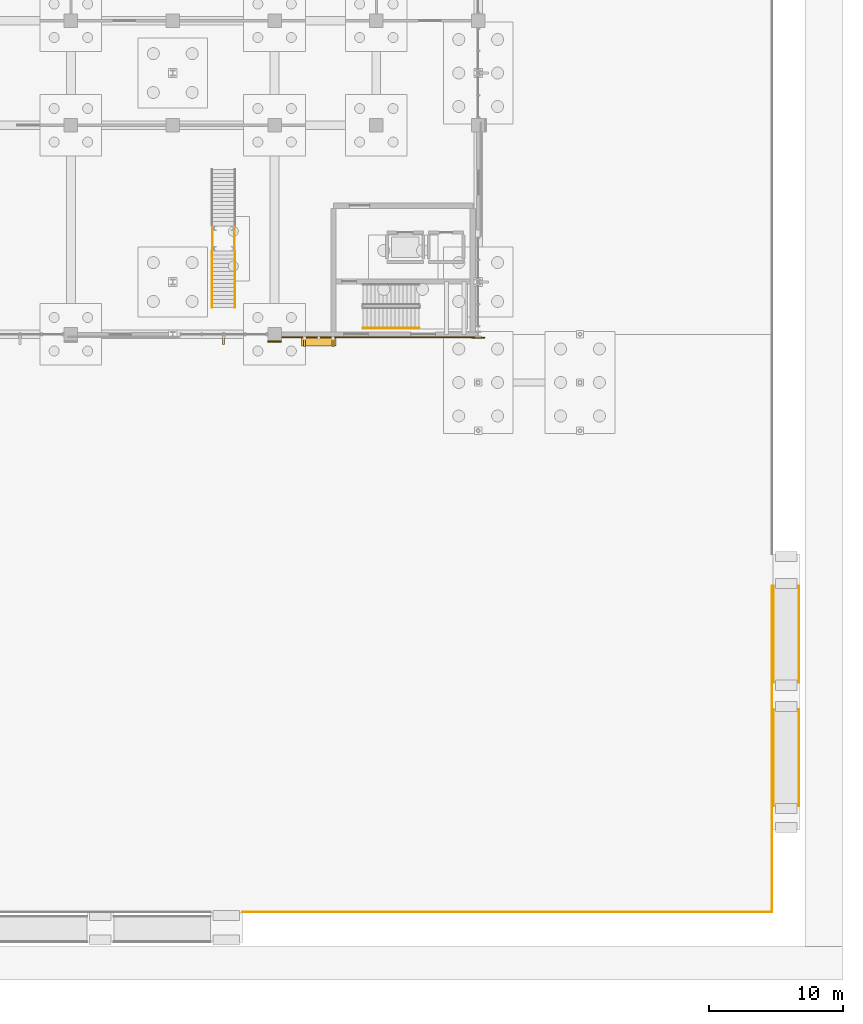
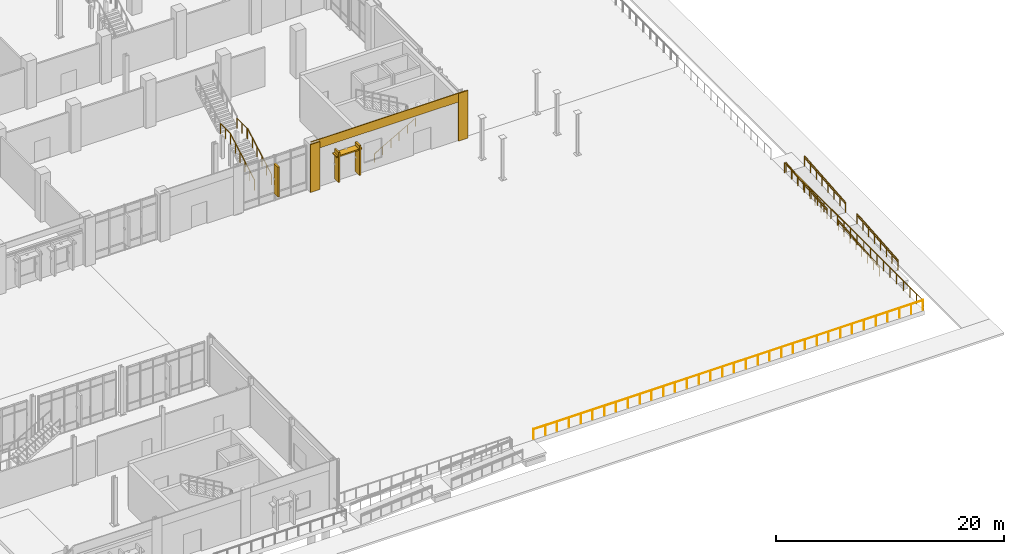
# One storey, part 91 of 94: 15 railings, 4 shading devices, 3 coverings.
"""IFC4 building model written with IfcOpenShell, lengths in metres."""

from ifc_helpers import new_model, si_unit, direction, frame, origin, origin_2d, place, context, subcontext, project, spatial, rectangle, circle, extrude, material, layer, layer_set, type_object, element, save


model = new_model("IFC4")

# Units and contexts
model_context = context("Model", 3, precision=1e-05, world=origin(), true_north=direction((0.0, 1.0)))
body_context = subcontext(model_context, "Body", "Model", "MODEL_VIEW")
ifc_project = project(units=[si_unit("LENGTHUNIT", "METRE"), si_unit("AREAUNIT", "SQUARE_METRE"), si_unit("VOLUMEUNIT", "CUBIC_METRE"), si_unit("PLANEANGLEUNIT", "RADIAN"), si_unit("MASSUNIT", "GRAM", prefix="KILO")], contexts=[model_context])

# Site, building, storey
site_placement = place(None, origin())
site = spatial("IfcSite", under=ifc_project, at=site_placement, CompositionType="ELEMENT")
building_placement = place(site_placement, origin())
building = spatial("IfcBuilding", under=site, at=building_placement, Name="Vervanel Yard Central Library", CompositionType="ELEMENT")
storey_placement = place(building_placement, origin())
storey = spatial("IfcBuildingStorey", under=building, at=storey_placement, Name="L00", CompositionType="ELEMENT", Elevation=0.0)

# Railings
ifc_material_1 = material(Name="Brushed stainless steel AISI 316", Category="steel")
railing_type_1 = type_object("IfcRailingType", Name="Brushed Stainless Stair Handrail 900", PredefinedType="HANDRAIL", material=ifc_material_1)
railing_1_placement = place(storey_placement, frame((137.39990234375, 43.64990234375, 0.169921875)))
element("IfcRailing", 1, at=railing_1_placement, inside=storey, type_object=railing_type_1, Name="L00 ST-05 stair handrail 1", PredefinedType="HANDRAIL", context=body_context, shape_type="SweptSolid", body=[
    extrude(circle(Radius=0.02392578125, at=origin_2d()), frame((0.0, 0.0, 0.8759765625), z_axis=(0.870020739749, 0.0, 0.493015123914), x_axis=(0.0, 1.0, 0.0)), (0.0, 0.0, 1.0), 4.82763671875),
    extrude(circle(Radius=0.02099609375, at=origin_2d()), origin(), (0.0, 0.0, 1.0), 0.851806640625),
    extrude(circle(Radius=0.02099609375, at=origin_2d()), frame((0.840087890625, 0.0, 0.47607421875)), (0.0, 0.0, 1.0), 0.851806640625),
    extrude(circle(Radius=0.02099609375, at=origin_2d()), frame((1.68017578125, 0.0, 0.9521484375)), (0.0, 0.0, 1.0), 0.851806640625),
    extrude(circle(Radius=0.02099609375, at=origin_2d()), frame((2.52001953125, 0.0, 1.427978515625)), (0.0, 0.0, 1.0), 0.851806640625),
    extrude(circle(Radius=0.02099609375, at=origin_2d()), frame((3.360107421875, 0.0, 1.904052734375)), (0.0, 0.0, 1.0), 0.851806640625),
    extrude(circle(Radius=0.02099609375, at=origin_2d()), frame((4.2001953125, 0.0, 2.380126953125)), (0.0, 0.0, 1.0), 0.851806640625),
])
for number, where, name in (
    (2, (168.050048828125, 8.0, -1.199951171875), "RAMP-02-F1 Handrail L"),
    (3, (169.949951171875, 8.0, -1.199951171875), "RAMP-02-F1 Handrail R"),
):
    element("IfcRailing", number, at=place(storey_placement, frame(where)), inside=storey, type_object=railing_type_1, Name=name, PredefinedType="HANDRAIL", context=body_context, shape_type="SweptSolid", body=[
        extrude(circle(Radius=0.02392578125, at=origin_2d()), frame((0.0, 0.0, 0.8759765625), z_axis=(0.0, 0.99654738937, 0.083025904028), x_axis=(-1.0, 0.0, 0.0)), (0.0, 0.0, 1.0), 7.224853515625),
        extrude(circle(Radius=0.02099609375, at=origin_2d()), origin(), (0.0, 0.0, 1.0), 0.851806640625),
        extrude(circle(Radius=0.02099609375, at=origin_2d()), frame((0.0, 1.028564453125, 0.085693359375)), (0.0, 0.0, 1.0), 0.851806640625),
        extrude(circle(Radius=0.02099609375, at=origin_2d()), frame((0.0, 2.05712890625, 0.17138671875)), (0.0, 0.0, 1.0), 0.851806640625),
        extrude(circle(Radius=0.02099609375, at=origin_2d()), frame((0.0, 3.085693359375, 0.257080078125)), (0.0, 0.0, 1.0), 0.851806640625),
        extrude(circle(Radius=0.02099609375, at=origin_2d()), frame((0.0, 4.1142578125, 0.3427734375)), (0.0, 0.0, 1.0), 0.851806640625),
        extrude(circle(Radius=0.02099609375, at=origin_2d()), frame((0.0, 5.142822265625, 0.428466796875)), (0.0, 0.0, 1.0), 0.851806640625),
        extrude(circle(Radius=0.02099609375, at=origin_2d()), frame((0.0, 6.17138671875, 0.51416015625)), (0.0, 0.0, 1.0), 0.851806640625),
        extrude(circle(Radius=0.02099609375, at=origin_2d()), frame((0.0, 7.199951171875, 0.599853515625)), (0.0, 0.0, 1.0), 0.851806640625),
    ])
for number, where, name in (
    (4, (168.050048828125, 17.199951171875, -0.60009765625), "RAMP-02-F2 Handrail L"),
    (5, (169.949951171875, 17.199951171875, -0.60009765625), "RAMP-02-F2 Handrail R"),
):
    element("IfcRailing", number, at=place(storey_placement, frame(where)), inside=storey, type_object=railing_type_1, Name=name, PredefinedType="HANDRAIL", context=body_context, shape_type="SweptSolid", body=[
        extrude(circle(Radius=0.02392578125, at=origin_2d()), frame((0.0, 0.0, 0.8759765625), z_axis=(0.0, 0.996544592923, 0.083059462528), x_axis=(-1.0, 0.0, 0.0)), (0.0, 0.0, 1.0), 7.224853515625),
        extrude(circle(Radius=0.02099609375, at=origin_2d()), origin(), (0.0, 0.0, 1.0), 0.851806640625),
        extrude(circle(Radius=0.02099609375, at=origin_2d()), frame((0.0, 1.028564453125, 0.085693359375)), (0.0, 0.0, 1.0), 0.851806640625),
        extrude(circle(Radius=0.02099609375, at=origin_2d()), frame((0.0, 2.05712890625, 0.17138671875)), (0.0, 0.0, 1.0), 0.851806640625),
        extrude(circle(Radius=0.02099609375, at=origin_2d()), frame((0.0, 3.085693359375, 0.257080078125)), (0.0, 0.0, 1.0), 0.851806640625),
        extrude(circle(Radius=0.02099609375, at=origin_2d()), frame((0.0, 4.1142578125, 0.343017578125)), (0.0, 0.0, 1.0), 0.851806640625),
        extrude(circle(Radius=0.02099609375, at=origin_2d()), frame((0.0, 5.142822265625, 0.4287109375)), (0.0, 0.0, 1.0), 0.851806640625),
        extrude(circle(Radius=0.02099609375, at=origin_2d()), frame((0.0, 6.17138671875, 0.514404296875)), (0.0, 0.0, 1.0), 0.851806640625),
        extrude(circle(Radius=0.02099609375, at=origin_2d()), frame((0.0, 7.199951171875, 0.60009765625)), (0.0, 0.0, 1.0), 0.851806640625),
    ])

# Coverings
ifc_material_2 = material(Name="Precast concrete C45/55", Category="concrete")
ifc_layer = layer(ifc_material_2, 0.0849609375, Category="concrete")
ifc_layer_set = layer_set([ifc_layer], Name="Precast concrete C45/55")
covering_type = type_object("IfcCoveringType", Name="Bush-Hammered Precast Architectural Cladding Panel", PredefinedType="CLADDING", material=ifc_layer_set)
covering_placement = place(storey_placement, frame((138.39990234375, 42.989990234375, 4.179931640625), z_axis=(0.0, 0.0, 1.0), x_axis=(1.0, 0.0, 0.0)))
element("IfcCovering", 6, at=covering_placement, inside=storey, type_object=covering_type, Name="L00 Precast Concrete Spandrel Cornice EWALL-L00-0162", PredefinedType="CLADDING", context=body_context, shape_type="SweptSolid", body=[
    extrude(rectangle(XDim=15.64990234375, YDim=0.0849609375, at=origin_2d()), origin(), (0.0, 0.0, 1.0), 0.93994140625),
])
for number, where, z_axis, x_axis, name in (
    (7, (130.800048828125, 42.657470703125, 0.0), (0.0, 0.0, 1.0), (1.0, 0.0, 0.0), "L00 Precast Concrete Pier Pilaster EWALL-L00-0162-A"),
    (8, (146.0, 42.94921875, 0.0), (0.0, 0.0, 1.0), (1.0, 0.0, 0.0), "L00 Precast Concrete Pier Pilaster EWALL-L00-0162-B"),
):
    element("IfcCovering", number, at=place(storey_placement, frame(where, z_axis=z_axis, x_axis=x_axis)), inside=storey, type_object=covering_type, Name=name, PredefinedType="CLADDING", context=body_context, shape_type="SweptSolid", body=[
        extrude(rectangle(XDim=0.97998046875, YDim=0.0849609375, at=origin_2d()), origin(), (0.0, 0.0, 1.0), 5.1201171875),
    ])

# Railings
railing_type_2 = type_object("IfcRailingType", Name="Exterior Terrace Guardrail 1100", PredefinedType="GUARDRAIL", material=ifc_material_1)
for number, where, name in (
    (9, (168.050048828125, 8.0, -1.199951171875), "RAMP-02-F1 Guardrail L"),
    (10, (169.949951171875, 8.0, -1.199951171875), "RAMP-02-F1 Guardrail R"),
):
    element("IfcRailing", number, at=place(storey_placement, frame(where)), inside=storey, type_object=railing_type_2, Name=name, PredefinedType="GUARDRAIL", context=body_context, shape_type="SweptSolid", body=[
        extrude(circle(Radius=0.02392578125, at=origin_2d()), frame((0.0, 0.0, 1.076171875), z_axis=(0.0, 0.99654738937, 0.083025904028), x_axis=(-1.0, 0.0, 0.0)), (0.0, 0.0, 1.0), 7.224853515625),
        extrude(circle(Radius=0.02099609375, at=origin_2d()), origin(), (0.0, 0.0, 1.0), 1.052001953125),
        extrude(circle(Radius=0.02099609375, at=origin_2d()), frame((0.0, 1.028564453125, 0.085693359375)), (0.0, 0.0, 1.0), 1.052001953125),
        extrude(circle(Radius=0.02099609375, at=origin_2d()), frame((0.0, 2.05712890625, 0.17138671875)), (0.0, 0.0, 1.0), 1.052001953125),
        extrude(circle(Radius=0.02099609375, at=origin_2d()), frame((0.0, 3.085693359375, 0.257080078125)), (0.0, 0.0, 1.0), 1.052001953125),
        extrude(circle(Radius=0.02099609375, at=origin_2d()), frame((0.0, 4.1142578125, 0.3427734375)), (0.0, 0.0, 1.0), 1.052001953125),
        extrude(circle(Radius=0.02099609375, at=origin_2d()), frame((0.0, 5.142822265625, 0.428466796875)), (0.0, 0.0, 1.0), 1.052001953125),
        extrude(circle(Radius=0.02099609375, at=origin_2d()), frame((0.0, 6.17138671875, 0.51416015625)), (0.0, 0.0, 1.0), 1.052001953125),
        extrude(circle(Radius=0.02099609375, at=origin_2d()), frame((0.0, 7.199951171875, 0.599853515625)), (0.0, 0.0, 1.0), 1.052001953125),
    ])
for number, where, name in (
    (11, (168.050048828125, 17.199951171875, -0.60009765625), "RAMP-02-F2 Guardrail L"),
    (12, (169.949951171875, 17.199951171875, -0.60009765625), "RAMP-02-F2 Guardrail R"),
):
    element("IfcRailing", number, at=place(storey_placement, frame(where)), inside=storey, type_object=railing_type_2, Name=name, PredefinedType="GUARDRAIL", context=body_context, shape_type="SweptSolid", body=[
        extrude(circle(Radius=0.02392578125, at=origin_2d()), frame((0.0, 0.0, 1.076171875), z_axis=(0.0, 0.996544592923, 0.083059462528), x_axis=(-1.0, 0.0, 0.0)), (0.0, 0.0, 1.0), 7.224853515625),
        extrude(circle(Radius=0.02099609375, at=origin_2d()), origin(), (0.0, 0.0, 1.0), 1.052001953125),
        extrude(circle(Radius=0.02099609375, at=origin_2d()), frame((0.0, 1.028564453125, 0.085693359375)), (0.0, 0.0, 1.0), 1.052001953125),
        extrude(circle(Radius=0.02099609375, at=origin_2d()), frame((0.0, 2.05712890625, 0.17138671875)), (0.0, 0.0, 1.0), 1.052001953125),
        extrude(circle(Radius=0.02099609375, at=origin_2d()), frame((0.0, 3.085693359375, 0.257080078125)), (0.0, 0.0, 1.0), 1.052001953125),
        extrude(circle(Radius=0.02099609375, at=origin_2d()), frame((0.0, 4.1142578125, 0.343017578125)), (0.0, 0.0, 1.0), 1.052001953125),
        extrude(circle(Radius=0.02099609375, at=origin_2d()), frame((0.0, 5.142822265625, 0.4287109375)), (0.0, 0.0, 1.0), 1.052001953125),
        extrude(circle(Radius=0.02099609375, at=origin_2d()), frame((0.0, 6.17138671875, 0.514404296875)), (0.0, 0.0, 1.0), 1.052001953125),
        extrude(circle(Radius=0.02099609375, at=origin_2d()), frame((0.0, 7.199951171875, 0.60009765625)), (0.0, 0.0, 1.0), 1.052001953125),
    ])
railing_2_placement = place(storey_placement, frame((128.39990234375, 0.080078125, 0.0)))
element("IfcRailing", 13, at=railing_2_placement, inside=storey, type_object=railing_type_2, Name="L00 Southeast Forecourt Arrival Plaza Edge Guard 4", PredefinedType="GUARDRAIL", context=body_context, shape_type="SweptSolid", body=[
    extrude(circle(Radius=0.02392578125, at=origin_2d()), frame((0.0, 0.0, 1.076171875), z_axis=(1.0, 0.0, 0.0), x_axis=(0.0, 1.0, 0.0)), (0.0, 0.0, 1.0), 39.52001953125),
    extrude(circle(Radius=0.02099609375, at=origin_2d()), origin(), (0.0, 0.0, 1.0), 1.052001953125),
    extrude(circle(Radius=0.02099609375, at=origin_2d()), frame((1.197509765625, 0.0, 0.0)), (0.0, 0.0, 1.0), 1.052001953125),
    extrude(circle(Radius=0.02099609375, at=origin_2d()), frame((2.395263671875, 0.0, 0.0)), (0.0, 0.0, 1.0), 1.052001953125),
    extrude(circle(Radius=0.02099609375, at=origin_2d()), frame((3.5927734375, 0.0, 0.0)), (0.0, 0.0, 1.0), 1.052001953125),
    extrude(circle(Radius=0.02099609375, at=origin_2d()), frame((4.790283203125, 0.0, 0.0)), (0.0, 0.0, 1.0), 1.052001953125),
    extrude(circle(Radius=0.02099609375, at=origin_2d()), frame((5.98779296875, 0.0, 0.0)), (0.0, 0.0, 1.0), 1.052001953125),
    extrude(circle(Radius=0.02099609375, at=origin_2d()), frame((7.185546875, 0.0, 0.0)), (0.0, 0.0, 1.0), 1.052001953125),
    extrude(circle(Radius=0.02099609375, at=origin_2d()), frame((8.383056640625, 0.0, 0.0)), (0.0, 0.0, 1.0), 1.052001953125),
    extrude(circle(Radius=0.02099609375, at=origin_2d()), frame((9.58056640625, 0.0, 0.0)), (0.0, 0.0, 1.0), 1.052001953125),
    extrude(circle(Radius=0.02099609375, at=origin_2d()), frame((10.778076171875, 0.0, 0.0)), (0.0, 0.0, 1.0), 1.052001953125),
    extrude(circle(Radius=0.02099609375, at=origin_2d()), frame((11.975830078125, 0.0, 0.0)), (0.0, 0.0, 1.0), 1.052001953125),
    extrude(circle(Radius=0.02099609375, at=origin_2d()), frame((13.17333984375, 0.0, 0.0)), (0.0, 0.0, 1.0), 1.052001953125),
    extrude(circle(Radius=0.02099609375, at=origin_2d()), frame((14.370849609375, 0.0, 0.0)), (0.0, 0.0, 1.0), 1.052001953125),
    extrude(circle(Radius=0.02099609375, at=origin_2d()), frame((15.568603515625, 0.0, 0.0)), (0.0, 0.0, 1.0), 1.052001953125),
    extrude(circle(Radius=0.02099609375, at=origin_2d()), frame((16.76611328125, 0.0, 0.0)), (0.0, 0.0, 1.0), 1.052001953125),
    extrude(circle(Radius=0.02099609375, at=origin_2d()), frame((17.963623046875, 0.0, 0.0)), (0.0, 0.0, 1.0), 1.052001953125),
    extrude(circle(Radius=0.02099609375, at=origin_2d()), frame((19.1611328125, 0.0, 0.0)), (0.0, 0.0, 1.0), 1.052001953125),
    extrude(circle(Radius=0.02099609375, at=origin_2d()), frame((20.35888671875, 0.0, 0.0)), (0.0, 0.0, 1.0), 1.052001953125),
    extrude(circle(Radius=0.02099609375, at=origin_2d()), frame((21.556396484375, 0.0, 0.0)), (0.0, 0.0, 1.0), 1.052001953125),
    extrude(circle(Radius=0.02099609375, at=origin_2d()), frame((22.75390625, 0.0, 0.0)), (0.0, 0.0, 1.0), 1.052001953125),
    extrude(circle(Radius=0.02099609375, at=origin_2d()), frame((23.951416015625, 0.0, 0.0)), (0.0, 0.0, 1.0), 1.052001953125),
    extrude(circle(Radius=0.02099609375, at=origin_2d()), frame((25.149169921875, 0.0, 0.0)), (0.0, 0.0, 1.0), 1.052001953125),
    extrude(circle(Radius=0.02099609375, at=origin_2d()), frame((26.3466796875, 0.0, 0.0)), (0.0, 0.0, 1.0), 1.052001953125),
    extrude(circle(Radius=0.02099609375, at=origin_2d()), frame((27.544189453125, 0.0, 0.0)), (0.0, 0.0, 1.0), 1.052001953125),
    extrude(circle(Radius=0.02099609375, at=origin_2d()), frame((28.741943359375, 0.0, 0.0)), (0.0, 0.0, 1.0), 1.052001953125),
    extrude(circle(Radius=0.02099609375, at=origin_2d()), frame((29.939453125, 0.0, 0.0)), (0.0, 0.0, 1.0), 1.052001953125),
    extrude(circle(Radius=0.02099609375, at=origin_2d()), frame((31.136962890625, 0.0, 0.0)), (0.0, 0.0, 1.0), 1.052001953125),
    extrude(circle(Radius=0.02099609375, at=origin_2d()), frame((32.33447265625, 0.0, 0.0)), (0.0, 0.0, 1.0), 1.052001953125),
    extrude(circle(Radius=0.02099609375, at=origin_2d()), frame((33.5322265625, 0.0, 0.0)), (0.0, 0.0, 1.0), 1.052001953125),
    extrude(circle(Radius=0.02099609375, at=origin_2d()), frame((34.729736328125, 0.0, 0.0)), (0.0, 0.0, 1.0), 1.052001953125),
    extrude(circle(Radius=0.02099609375, at=origin_2d()), frame((35.92724609375, 0.0, 0.0)), (0.0, 0.0, 1.0), 1.052001953125),
    extrude(circle(Radius=0.02099609375, at=origin_2d()), frame((37.124755859375, 0.0, 0.0)), (0.0, 0.0, 1.0), 1.052001953125),
    extrude(circle(Radius=0.02099609375, at=origin_2d()), frame((38.322509765625, 0.0, 0.0)), (0.0, 0.0, 1.0), 1.052001953125),
    extrude(circle(Radius=0.02099609375, at=origin_2d()), frame((39.52001953125, 0.0, 0.0)), (0.0, 0.0, 1.0), 1.052001953125),
])
railing_3_placement = place(storey_placement, frame((167.919921875, 0.080078125, 0.0)))
element("IfcRailing", 14, at=railing_3_placement, inside=storey, type_object=railing_type_2, Name="L00 Southeast Forecourt Arrival Plaza Edge Guard 5", PredefinedType="GUARDRAIL", context=body_context, shape_type="SweptSolid", body=[
    extrude(circle(Radius=0.02392578125, at=origin_2d()), frame((0.0, 0.0, 1.076171875), z_axis=(0.0, 1.0, 0.0), x_axis=(-1.0, 0.0, 0.0)), (0.0, 0.0, 1.0), 24.31982421875),
    extrude(circle(Radius=0.02099609375, at=origin_2d()), origin(), (0.0, 0.0, 1.0), 1.052001953125),
    extrude(circle(Radius=0.02099609375, at=origin_2d()), frame((0.0, 1.158203125, 0.0)), (0.0, 0.0, 1.0), 1.052001953125),
    extrude(circle(Radius=0.02099609375, at=origin_2d()), frame((0.0, 2.316162109375, 0.0)), (0.0, 0.0, 1.0), 1.052001953125),
    extrude(circle(Radius=0.02099609375, at=origin_2d()), frame((0.0, 3.474365234375, 0.0)), (0.0, 0.0, 1.0), 1.052001953125),
    extrude(circle(Radius=0.02099609375, at=origin_2d()), frame((0.0, 4.63232421875, 0.0)), (0.0, 0.0, 1.0), 1.052001953125),
    extrude(circle(Radius=0.02099609375, at=origin_2d()), frame((0.0, 5.79052734375, 0.0)), (0.0, 0.0, 1.0), 1.052001953125),
    extrude(circle(Radius=0.02099609375, at=origin_2d()), frame((0.0, 6.948486328125, 0.0)), (0.0, 0.0, 1.0), 1.052001953125),
    extrude(circle(Radius=0.02099609375, at=origin_2d()), frame((0.0, 8.106689453125, 0.0)), (0.0, 0.0, 1.0), 1.052001953125),
    extrude(circle(Radius=0.02099609375, at=origin_2d()), frame((0.0, 9.2646484375, 0.0)), (0.0, 0.0, 1.0), 1.052001953125),
    extrude(circle(Radius=0.02099609375, at=origin_2d()), frame((0.0, 10.4228515625, 0.0)), (0.0, 0.0, 1.0), 1.052001953125),
    extrude(circle(Radius=0.02099609375, at=origin_2d()), frame((0.0, 11.580810546875, 0.0)), (0.0, 0.0, 1.0), 1.052001953125),
    extrude(circle(Radius=0.02099609375, at=origin_2d()), frame((0.0, 12.739013671875, 0.0)), (0.0, 0.0, 1.0), 1.052001953125),
    extrude(circle(Radius=0.02099609375, at=origin_2d()), frame((0.0, 13.89697265625, 0.0)), (0.0, 0.0, 1.0), 1.052001953125),
    extrude(circle(Radius=0.02099609375, at=origin_2d()), frame((0.0, 15.05517578125, 0.0)), (0.0, 0.0, 1.0), 1.052001953125),
    extrude(circle(Radius=0.02099609375, at=origin_2d()), frame((0.0, 16.213134765625, 0.0)), (0.0, 0.0, 1.0), 1.052001953125),
    extrude(circle(Radius=0.02099609375, at=origin_2d()), frame((0.0, 17.371337890625, 0.0)), (0.0, 0.0, 1.0), 1.052001953125),
    extrude(circle(Radius=0.02099609375, at=origin_2d()), frame((0.0, 18.529296875, 0.0)), (0.0, 0.0, 1.0), 1.052001953125),
    extrude(circle(Radius=0.02099609375, at=origin_2d()), frame((0.0, 19.6875, 0.0)), (0.0, 0.0, 1.0), 1.052001953125),
    extrude(circle(Radius=0.02099609375, at=origin_2d()), frame((0.0, 20.845458984375, 0.0)), (0.0, 0.0, 1.0), 1.052001953125),
    extrude(circle(Radius=0.02099609375, at=origin_2d()), frame((0.0, 22.003662109375, 0.0)), (0.0, 0.0, 1.0), 1.052001953125),
    extrude(circle(Radius=0.02099609375, at=origin_2d()), frame((0.0, 23.16162109375, 0.0)), (0.0, 0.0, 1.0), 1.052001953125),
    extrude(circle(Radius=0.02099609375, at=origin_2d()), frame((0.0, 24.31982421875, 0.0)), (0.0, 0.0, 1.0), 1.052001953125),
])

# Shading device
shading_device_type_1 = type_object("IfcShadingDeviceType", Name="Horizontal Precast Brise-Soleil Sunhood 2600x680x140", PredefinedType="JALOUSIE", material=ifc_material_2)
shading_device_placement = place(storey_placement, frame((134.10009765625, 42.659912109375, 3.0302734375), z_axis=(0.0, 0.0, 1.0), x_axis=(1.0, 0.0, 0.0)))
element("IfcShadingDevice", 15, at=shading_device_placement, inside=storey, type_object=shading_device_type_1, Name="L00 Precast Horizontal Sunhood 99", PredefinedType="JALOUSIE", context=body_context, shape_type="SweptSolid", body=[
    extrude(rectangle(XDim=2.60009765625, YDim=0.679931640625, at=origin_2d()), origin(), (0.0, 0.0, 1.0), 0.139892578125),
])

# Railings
ifc_material_3 = material(Name="Galvanized painted steelwork ASTM A500 Grade C", Category="steel")
railing_type_3 = type_object("IfcRailingType", Name="Painted Steel Guardrail 1100", PredefinedType="GUARDRAIL", material=ifc_material_3)
for number, where, name in (
    (16, (126.139892578125, 45.199951171875, 0.169921875), "L00 Feature Stair Guard FST-01-L00 F1 L"),
    (17, (127.860107421875, 45.199951171875, 0.169921875), "L00 Feature Stair Guard FST-01-L00 F1 R"),
):
    element("IfcRailing", number, at=place(storey_placement, frame(where)), inside=storey, type_object=railing_type_3, Name=name, PredefinedType="GUARDRAIL", context=body_context, shape_type="SweptSolid", body=[
        extrude(circle(Radius=0.02392578125, at=origin_2d()), frame((0.0, 0.0, 1.076171875), z_axis=(0.0, 0.870008446991, 0.493036816236), x_axis=(-1.0, 0.0, 0.0)), (0.0, 0.0, 1.0), 4.827392578125),
        extrude(circle(Radius=0.02099609375, at=origin_2d()), origin(), (0.0, 0.0, 1.0), 1.052001953125),
        extrude(circle(Radius=0.02099609375, at=origin_2d()), frame((0.0, 0.840087890625, 0.47607421875)), (0.0, 0.0, 1.0), 1.052001953125),
        extrude(circle(Radius=0.02099609375, at=origin_2d()), frame((0.0, 1.679931640625, 0.9521484375)), (0.0, 0.0, 1.0), 1.052001953125),
        extrude(circle(Radius=0.02099609375, at=origin_2d()), frame((0.0, 2.52001953125, 1.427978515625)), (0.0, 0.0, 1.0), 1.052001953125),
        extrude(circle(Radius=0.02099609375, at=origin_2d()), frame((0.0, 3.35986328125, 1.904052734375)), (0.0, 0.0, 1.0), 1.052001953125),
        extrude(circle(Radius=0.02099609375, at=origin_2d()), frame((0.0, 4.199951171875, 2.380126953125)), (0.0, 0.0, 1.0), 1.052001953125),
    ])
railing_4_placement = place(storey_placement, frame((127.820068359375, 49.47998046875, 2.550048828125)))
element("IfcRailing", 18, at=railing_4_placement, inside=storey, type_object=railing_type_3, Name="L00 Void Guard FST-01-L00-LDG1 E", PredefinedType="GUARDRAIL", context=body_context, shape_type="SweptSolid", body=[
    extrude(circle(Radius=0.02392578125, at=origin_2d()), frame((0.0, 0.0, 1.076171875), z_axis=(0.0, 1.0, 0.0), x_axis=(-1.0, 0.0, 0.0)), (0.0, 0.0, 1.0), 1.739990234375),
    extrude(circle(Radius=0.02099609375, at=origin_2d()), origin(), (0.0, 0.0, 1.0), 1.052001953125),
    extrude(circle(Radius=0.02099609375, at=origin_2d()), frame((0.0, 0.8701171875, 0.0)), (0.0, 0.0, 1.0), 1.052001953125),
    extrude(circle(Radius=0.02099609375, at=origin_2d()), frame((0.0, 1.739990234375, 0.0)), (0.0, 0.0, 1.0), 1.052001953125),
])
railing_5_placement = place(storey_placement, frame((126.179931640625, 51.219970703125, 2.550048828125)))
element("IfcRailing", 19, at=railing_5_placement, inside=storey, type_object=railing_type_3, Name="L00 Void Guard FST-01-L00-LDG1 W", PredefinedType="GUARDRAIL", context=body_context, shape_type="SweptSolid", body=[
    extrude(circle(Radius=0.02392578125, at=origin_2d()), frame((0.0, 0.0, 1.076171875), z_axis=(0.0, -1.0, 0.0), x_axis=(1.0, 0.0, 0.0)), (0.0, 0.0, 1.0), 1.739990234375),
    extrude(circle(Radius=0.02099609375, at=origin_2d()), origin(), (0.0, 0.0, 1.0), 1.052001953125),
    extrude(circle(Radius=0.02099609375, at=origin_2d()), frame((0.0, -0.8701171875, 0.0)), (0.0, 0.0, 1.0), 1.052001953125),
    extrude(circle(Radius=0.02099609375, at=origin_2d()), frame((0.0, -1.739990234375, 0.0)), (0.0, 0.0, 1.0), 1.052001953125),
])

# Shading devices
shading_device_type_2 = type_object("IfcShadingDeviceType", Name="Vertical Precast Solar Fin 160x720x3200", PredefinedType="JALOUSIE", material=ifc_material_2)
for number, where, z_axis, x_axis, name in (
    (20, (127.0, 42.7900390625, 0.7900390625), (0.0, 0.0, 1.0), (1.0, 0.0, 0.0), "L00 Precast Solar Fin 446"),
    (21, (133.0400390625, 42.6298828125, 0.35009765625), (0.0, 0.0, 1.0), (1.0, 0.0, 0.0), "L00 Precast Solar Fin 447"),
    (22, (135.159912109375, 42.6298828125, 0.35009765625), (0.0, 0.0, 1.0), (1.0, 0.0, 0.0), "L00 Precast Solar Fin 448"),
):
    element("IfcShadingDevice", number, at=place(storey_placement, frame(where, z_axis=z_axis, x_axis=x_axis)), inside=storey, type_object=shading_device_type_2, Name=name, PredefinedType="JALOUSIE", context=body_context, shape_type="SweptSolid", body=[
        extrude(rectangle(XDim=0.159912109375, YDim=0.719970703125, at=origin_2d()), origin(), (0.0, 0.0, 1.0), 3.199951171875),
    ])

save(model, "model.ifc")
